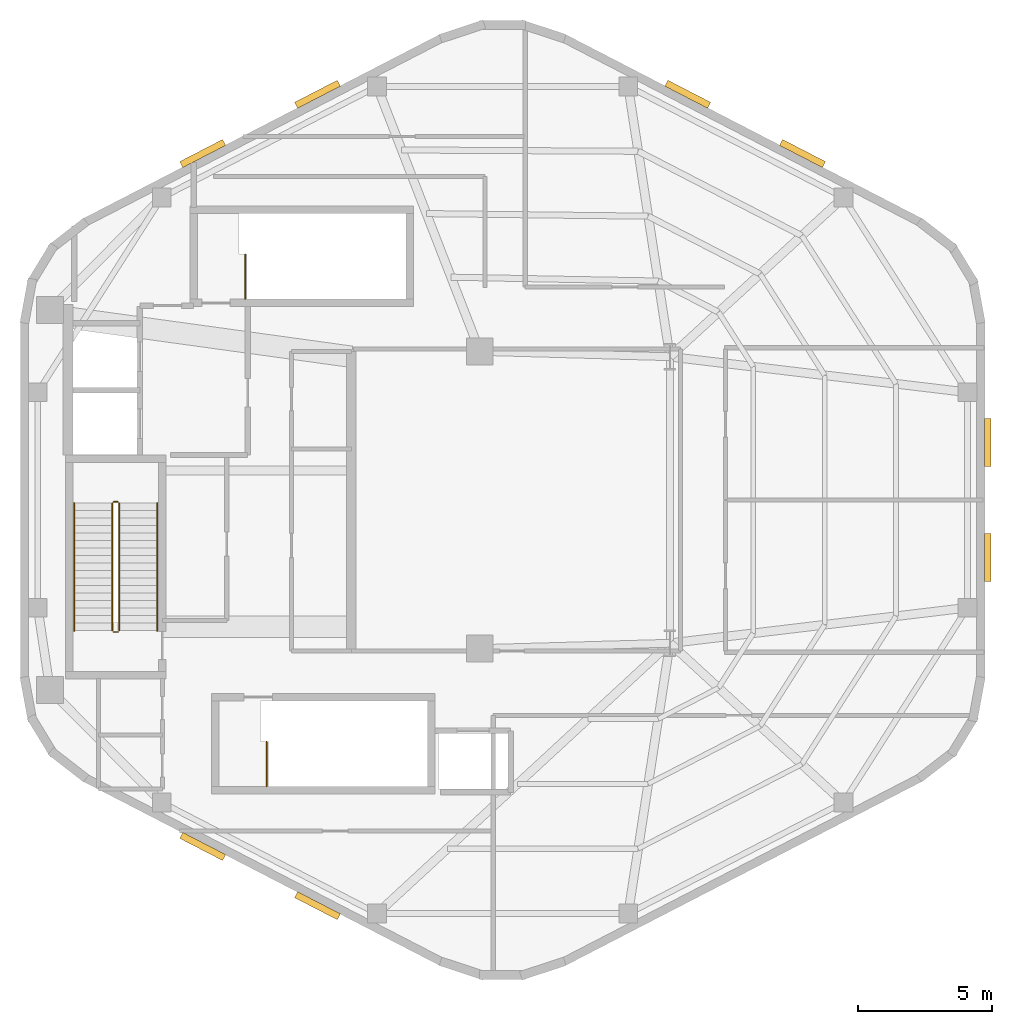
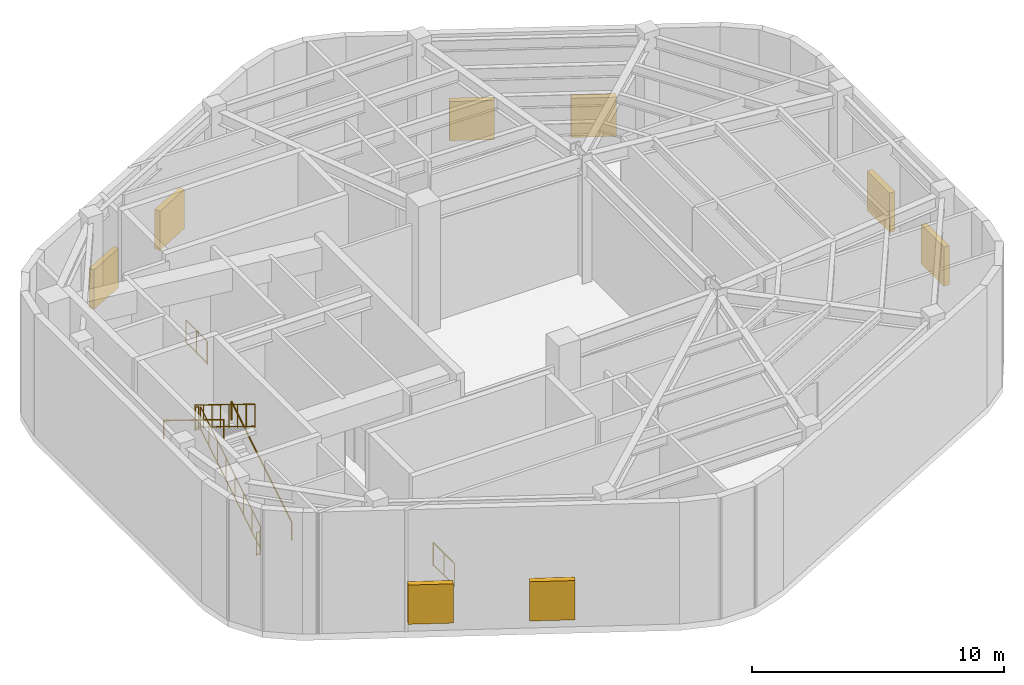
# One storey, part 5 of 5: 8 railings, 8 shading devices.
"""IFC4 building model written with IfcOpenShell, lengths in metres."""

from ifc_helpers import new_model, si_unit, direction, frame, origin, origin_2d, place, context, subcontext, project, spatial, rectangle, circle, extrude, material, type_object, element, save


model = new_model("IFC4")

# Units and contexts
model_context = context("Model", 3, precision=1e-05, world=origin(), true_north=direction((0.0, 1.0)))
body_context = subcontext(model_context, "Body", "Model", "MODEL_VIEW")
ifc_project = project(units=[si_unit("LENGTHUNIT", "METRE"), si_unit("AREAUNIT", "SQUARE_METRE"), si_unit("VOLUMEUNIT", "CUBIC_METRE"), si_unit("PLANEANGLEUNIT", "RADIAN"), si_unit("MASSUNIT", "GRAM", prefix="KILO"), si_unit("THERMODYNAMICTEMPERATUREUNIT", "KELVIN"), si_unit("POWERUNIT", "WATT")], contexts=[model_context])

# Site, building, storey
site_placement = place(None, origin())
site = spatial("IfcSite", under=ifc_project, at=site_placement, CompositionType="ELEMENT")
building_placement = place(site_placement, origin())
building = spatial("IfcBuilding", under=site, at=building_placement, Name="Skarre Station Tower", CompositionType="ELEMENT")
storey_placement = place(building_placement, frame((0.0, 0.0, 285.10009765625)))
storey = spatial("IfcBuildingStorey", under=building, at=storey_placement, Name="L77", CompositionType="ELEMENT", Elevation=285.10009765625)

# Railings
ifc_material_1 = material(Name="Powder-Coated Tubular Steel", Category="steel")
railing_type_1 = type_object("IfcRailingType", Name="Painted Steel Ramp & Stair Handrail 920", PredefinedType="HANDRAIL", material=ifc_material_1)
railing_1_placement = place(storey_placement, frame((20.300048828125, 19.1201171875, 0.172119140625)))
element("IfcRailing", 1, at=railing_1_placement, inside=storey, type_object=railing_type_1, Name="L77 ST-1 stair handrail 1", PredefinedType="HANDRAIL", context=body_context, shape_type="SweptSolid", body=[
    extrude(circle(Radius=0.02392578125, at=origin_2d()), frame((0.0, 0.0, 0.8759765625), z_axis=(0.0, 0.851766303034, 0.523921907365), x_axis=(-1.0, 0.0, 0.0)), (0.0, 0.0, 1.0), 5.588134765625),
    extrude(circle(Radius=0.02099609375, at=origin_2d()), origin(), (0.0, 0.0, 1.0), 0.851806640625),
    extrude(circle(Radius=0.02099609375, at=origin_2d()), frame((0.0, 4.759765625, 2.927734375)), (0.0, 0.0, 1.0), 0.851806640625),
])
railing_2_placement = place(storey_placement, frame((17.199951171875, 23.8798828125, 3.272216796875)))
element("IfcRailing", 2, at=railing_2_placement, inside=storey, type_object=railing_type_1, Name="L77 ST-1 stair handrail 2", PredefinedType="HANDRAIL", context=body_context, shape_type="SweptSolid", body=[
    extrude(circle(Radius=0.02392578125, at=origin_2d()), frame((0.0, 0.0, 0.8759765625), z_axis=(0.0, -0.851766303034, 0.523921907365), x_axis=(1.0, 0.0, 0.0)), (0.0, 0.0, 1.0), 5.588134765625),
    extrude(circle(Radius=0.02099609375, at=origin_2d()), origin(), (0.0, 0.0, 1.0), 0.851806640625),
    extrude(circle(Radius=0.02099609375, at=origin_2d()), frame((0.0, -4.759765625, 2.927734375)), (0.0, 0.0, 1.0), 0.851806640625),
])
railing_type_2 = type_object("IfcRailingType", Name="Painted Steel Stairwell Guardrail 1100", PredefinedType="GUARDRAIL", material=ifc_material_1)
railing_3_placement = place(storey_placement, frame((18.8798828125, 19.1201171875, 0.172119140625)))
element("IfcRailing", 3, at=railing_3_placement, inside=storey, type_object=railing_type_2, Name="L77 ST-1 stair guard 1", PredefinedType="GUARDRAIL", context=body_context, shape_type="SweptSolid", body=[
    extrude(circle(Radius=0.02392578125, at=origin_2d()), frame((0.0, 0.0, 1.1259765625), z_axis=(0.0, 0.851766303034, 0.523921907365), x_axis=(-1.0, 0.0, 0.0)), (0.0, 0.0, 1.0), 5.588134765625),
    extrude(circle(Radius=0.02099609375, at=origin_2d()), frame((0.0, 0.0, 0.06005859375), z_axis=(0.0, 0.851766303034, 0.523921907365), x_axis=(-1.0, 0.0, 0.0)), (0.0, 0.0, 1.0), 5.588134765625),
    extrude(circle(Radius=0.02099609375, at=origin_2d()), origin(), (0.0, 0.0, 1.0), 1.101806640625),
    extrude(circle(Radius=0.02099609375, at=origin_2d()), frame((0.0, 0.679931640625, 0.418212890625)), (0.0, 0.0, 1.0), 1.101806640625),
    extrude(circle(Radius=0.02099609375, at=origin_2d()), frame((0.0, 1.35986328125, 0.83642578125)), (0.0, 0.0, 1.0), 1.101806640625),
    extrude(circle(Radius=0.02099609375, at=origin_2d()), frame((0.0, 2.039794921875, 1.254638671875)), (0.0, 0.0, 1.0), 1.101806640625),
    extrude(circle(Radius=0.02099609375, at=origin_2d()), frame((0.0, 2.719970703125, 1.673095703125)), (0.0, 0.0, 1.0), 1.101806640625),
    extrude(circle(Radius=0.02099609375, at=origin_2d()), frame((0.0, 3.39990234375, 2.09130859375)), (0.0, 0.0, 1.0), 1.101806640625),
    extrude(circle(Radius=0.02099609375, at=origin_2d()), frame((0.0, 4.079833984375, 2.509521484375)), (0.0, 0.0, 1.0), 1.101806640625),
    extrude(circle(Radius=0.02099609375, at=origin_2d()), frame((0.0, 4.759765625, 2.927734375)), (0.0, 0.0, 1.0), 1.101806640625),
])
railing_4_placement = place(storey_placement, frame((18.830078125, 23.929931640625, 3.099853515625)))
element("IfcRailing", 4, at=railing_4_placement, inside=storey, type_object=railing_type_2, Name="L77 ST-1 stair guard 2", PredefinedType="GUARDRAIL", context=body_context, shape_type="SweptSolid", body=[
    extrude(circle(Radius=0.02392578125, at=origin_2d()), frame((0.0, 0.0, 1.1259765625), z_axis=(-1.0, 0.0, 0.0), x_axis=(0.0, -1.0, 0.0)), (0.0, 0.0, 1.0), 0.16015625),
    extrude(circle(Radius=0.02099609375, at=origin_2d()), frame((0.0, 0.0, 0.06005859375), z_axis=(-1.0, 0.0, 0.0), x_axis=(0.0, -1.0, 0.0)), (0.0, 0.0, 1.0), 0.16015625),
    extrude(circle(Radius=0.02099609375, at=origin_2d()), origin(), (0.0, 0.0, 1.0), 1.101806640625),
    extrude(circle(Radius=0.02099609375, at=origin_2d()), frame((-0.16015625, 0.0, 0.0)), (0.0, 0.0, 1.0), 1.101806640625),
])
railing_5_placement = place(storey_placement, frame((18.6201171875, 23.8798828125, 3.272216796875)))
element("IfcRailing", 5, at=railing_5_placement, inside=storey, type_object=railing_type_2, Name="L77 ST-1 stair guard 3", PredefinedType="GUARDRAIL", context=body_context, shape_type="SweptSolid", body=[
    extrude(circle(Radius=0.02392578125, at=origin_2d()), frame((0.0, 0.0, 1.1259765625), z_axis=(0.0, -0.851766303034, 0.523921907365), x_axis=(1.0, 0.0, 0.0)), (0.0, 0.0, 1.0), 5.588134765625),
    extrude(circle(Radius=0.02099609375, at=origin_2d()), frame((0.0, 0.0, 0.06005859375), z_axis=(0.0, -0.851766303034, 0.523921907365), x_axis=(1.0, 0.0, 0.0)), (0.0, 0.0, 1.0), 5.588134765625),
    extrude(circle(Radius=0.02099609375, at=origin_2d()), origin(), (0.0, 0.0, 1.0), 1.101806640625),
    extrude(circle(Radius=0.02099609375, at=origin_2d()), frame((0.0, -0.679931640625, 0.418212890625)), (0.0, 0.0, 1.0), 1.101806640625),
    extrude(circle(Radius=0.02099609375, at=origin_2d()), frame((0.0, -1.35986328125, 0.83642578125)), (0.0, 0.0, 1.0), 1.101806640625),
    extrude(circle(Radius=0.02099609375, at=origin_2d()), frame((0.0, -2.039794921875, 1.254638671875)), (0.0, 0.0, 1.0), 1.101806640625),
    extrude(circle(Radius=0.02099609375, at=origin_2d()), frame((0.0, -2.719970703125, 1.673095703125)), (0.0, 0.0, 1.0), 1.101806640625),
    extrude(circle(Radius=0.02099609375, at=origin_2d()), frame((0.0, -3.39990234375, 2.09130859375)), (0.0, 0.0, 1.0), 1.101806640625),
    extrude(circle(Radius=0.02099609375, at=origin_2d()), frame((0.0, -4.079833984375, 2.509521484375)), (0.0, 0.0, 1.0), 1.101806640625),
    extrude(circle(Radius=0.02099609375, at=origin_2d()), frame((0.0, -4.759765625, 2.927734375)), (0.0, 0.0, 1.0), 1.101806640625),
])
railing_6_placement = place(storey_placement, frame((18.830078125, 19.070068359375, 0.0)))
element("IfcRailing", 6, at=railing_6_placement, inside=storey, type_object=railing_type_2, Name="L77 ST-1 stair guard 4", PredefinedType="GUARDRAIL", context=body_context, shape_type="SweptSolid", body=[
    extrude(circle(Radius=0.02392578125, at=origin_2d()), frame((0.0, 0.0, 1.1259765625), z_axis=(-1.0, 0.0, 0.0), x_axis=(0.0, -1.0, 0.0)), (0.0, 0.0, 1.0), 0.16015625),
    extrude(circle(Radius=0.02099609375, at=origin_2d()), frame((0.0, 0.0, 0.06005859375), z_axis=(-1.0, 0.0, 0.0), x_axis=(0.0, -1.0, 0.0)), (0.0, 0.0, 1.0), 0.16015625),
    extrude(circle(Radius=0.02099609375, at=origin_2d()), origin(), (0.0, 0.0, 1.0), 1.101806640625),
    extrude(circle(Radius=0.02099609375, at=origin_2d()), frame((-0.16015625, 0.0, 0.0)), (0.0, 0.0, 1.0), 1.101806640625),
])
for number, where, name in (
    (7, (24.389892578125, 13.300048828125, 0.0), "L77 ST-2 top well guard 1"),
    (8, (23.590087890625, 31.5, 0.0), "L77 ST-3 top well guard 1"),
):
    element("IfcRailing", number, at=place(storey_placement, frame(where)), inside=storey, type_object=railing_type_2, Name=name, PredefinedType="GUARDRAIL", context=body_context, shape_type="SweptSolid", body=[
        extrude(circle(Radius=0.02392578125, at=origin_2d()), frame((0.0, 0.0, 1.1259765625), z_axis=(0.0, 1.0, 0.0), x_axis=(-1.0, 0.0, 0.0)), (0.0, 0.0, 1.0), 1.679931640625),
        extrude(circle(Radius=0.02099609375, at=origin_2d()), frame((0.0, 0.0, 0.06005859375), z_axis=(0.0, 1.0, 0.0), x_axis=(-1.0, 0.0, 0.0)), (0.0, 0.0, 1.0), 1.679931640625),
        extrude(circle(Radius=0.02099609375, at=origin_2d()), origin(), (0.0, 0.0, 1.0), 1.101806640625),
        extrude(circle(Radius=0.02099609375, at=origin_2d()), frame((0.0, 0.83984375, 0.0)), (0.0, 0.0, 1.0), 1.101806640625),
        extrude(circle(Radius=0.02099609375, at=origin_2d()), frame((0.0, 1.679931640625, 0.0)), (0.0, 0.0, 1.0), 1.101806640625),
    ])

# Shading devices
ifc_material_2 = material(Name="Powder-Coated Aluminium Acoustic Louvre", Category="aluminium")
shading_device_type = type_object("IfcShadingDeviceType", Name="Plant Intake Acoustic Weather Louvre 1800x2200", PredefinedType="JALOUSIE", material=ifc_material_2)
for number, where, z_axis, x_axis, name in (
    (9, (40.114013671875, 39.154052734375, 0.5), (0.0, 0.0, 1.0), (0.458711590553, 0.88858521071, 0.0), "L77 Facet 0 Mechanical Intake Louvre 1"),
    (10, (44.40087890625, 36.94091796875, 0.5), (0.0, 0.0, 1.0), (0.458711590553, 0.88858521071, 0.0), "L77 Facet 0 Mechanical Intake Louvre 2"),
    (11, (21.9990234375, 36.94091796875, 0.5), (0.0, 0.0, 1.0), (-0.458711590553, 0.88858521071, 0.0), "L77 Facet 1 Mechanical Intake Louvre 1"),
    (12, (26.285888671875, 39.154052734375, 0.5), (0.0, 0.0, 1.0), (-0.458711590553, 0.88858521071, 0.0), "L77 Facet 1 Mechanical Intake Louvre 2"),
    (13, (26.285888671875, 8.845947265625, 0.5), (0.0, 0.0, 1.0), (-0.458711590553, -0.88858521071, 0.0), "L77 Facet 3 Mechanical Intake Louvre 1"),
    (14, (21.9990234375, 11.05908203125, 0.5), (0.0, 0.0, 1.0), (-0.458711590553, -0.88858521071, 0.0), "L77 Facet 3 Mechanical Intake Louvre 2"),
    (15, (51.322998046875, 26.14501953125, 0.5), (0.0, 0.0, 1.0), (1.0, 0.0, 0.0), "L77 Facet 5 Mechanical Intake Louvre 1"),
    (16, (51.322998046875, 21.85498046875, 0.5), (0.0, 0.0, 1.0), (1.0, 0.0, 0.0), "L77 Facet 5 Mechanical Intake Louvre 2"),
):
    element("IfcShadingDevice", number, at=place(storey_placement, frame(where, z_axis=z_axis, x_axis=x_axis)), inside=storey, type_object=shading_device_type, Name=name, PredefinedType="JALOUSIE", context=body_context, shape_type="SweptSolid", body=[
        extrude(rectangle(XDim=0.25, YDim=1.800048828125, at=origin_2d()), origin(), (0.0, 0.0, 1.0), 1.89990234375),
    ])

save(model, "model.ifc")
